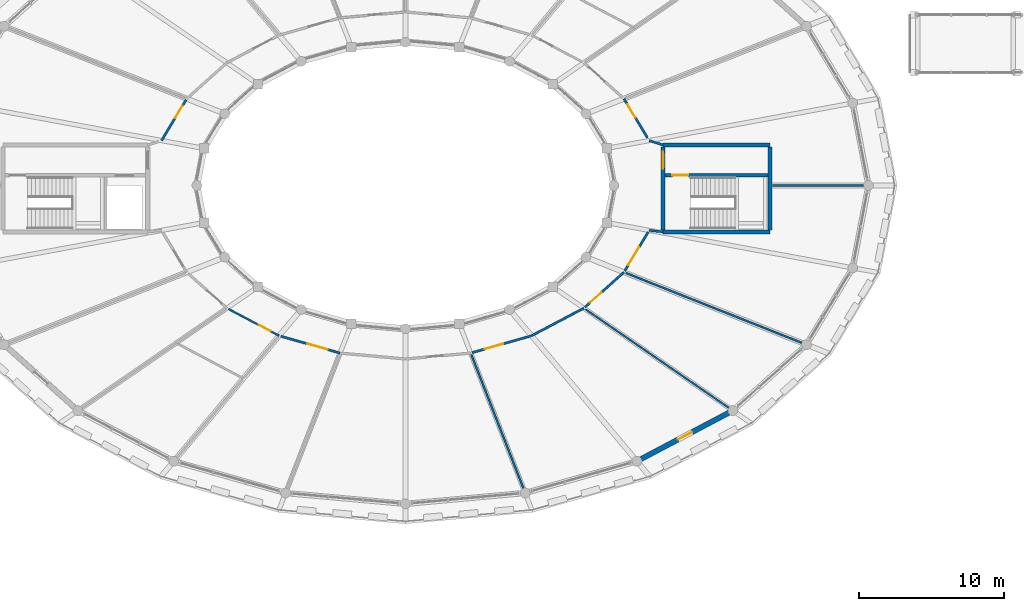
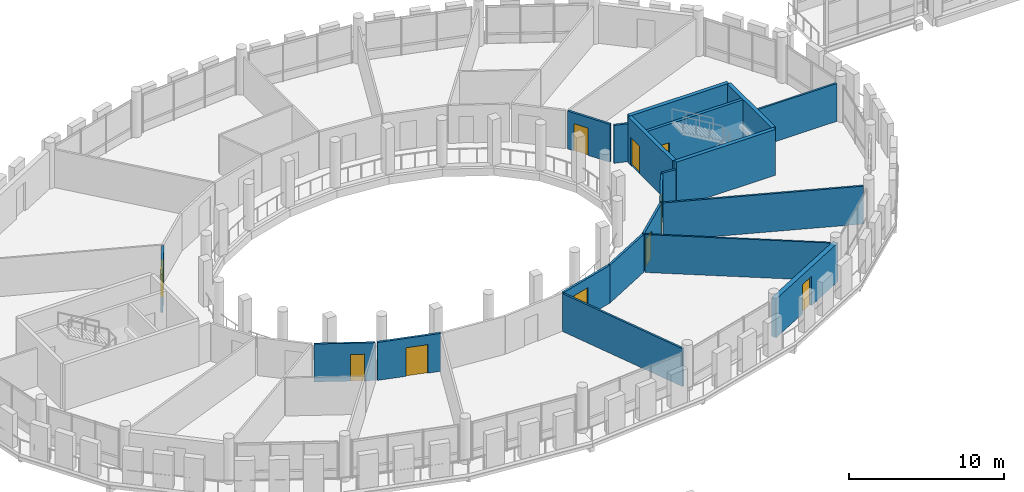
# One storey, part 112 of 128: 20 walls, 10 doors, 10 openings.
"""IFC4 building model written with IfcOpenShell, lengths in metres."""

from ifc_helpers import new_model, si_unit, direction, frame, frame_2d, origin, place, context, subcontext, project, spatial, rectangle, extrude, material, layer, layer_set, type_object, element, fill, save


model = new_model("IFC4")

# Units and contexts
model_context = context("Model", 3, precision=1e-05, world=origin(), true_north=direction((0.0, 1.0)))
body_context = subcontext(model_context, "Body", "Model", "MODEL_VIEW")
ifc_project = project(units=[si_unit("LENGTHUNIT", "METRE"), si_unit("AREAUNIT", "SQUARE_METRE"), si_unit("VOLUMEUNIT", "CUBIC_METRE"), si_unit("PLANEANGLEUNIT", "RADIAN"), si_unit("MASSUNIT", "GRAM", prefix="KILO")], contexts=[model_context])

# Site, building, storey
site_placement = place(None, origin())
site = spatial("IfcSite", under=ifc_project, at=site_placement, CompositionType="ELEMENT")
building_placement = place(site_placement, origin())
building = spatial("IfcBuilding", under=site, at=building_placement, Name="Zornivar Specialist Clinic", CompositionType="ELEMENT")
storey_placement = place(building_placement, frame((0.0, 0.0, 4.5)))
storey = spatial("IfcBuildingStorey", under=building, at=storey_placement, Name="L01", CompositionType="ELEMENT", Elevation=4.5)

# Wall, opening, door
ifc_material_1 = material(Name="Masonry Drum Limestone Portal Wall", Category="masonry")
ifc_layer_1 = layer(ifc_material_1, 0.35009765625)
ifc_layer_set_1 = layer_set([ifc_layer_1], Name="Masonry Drum Limestone Portal Wall")
wall_type_1 = type_object("IfcWallType", Name="EW-DRUM-350", PredefinedType="SOLIDWALL", material=ifc_layer_set_1)
wall_1_placement = place(storey_placement, frame((109.60009765625, 38.547119140625, 0.0), z_axis=(0.0, 0.0, 1.0), x_axis=(0.884425099405, 0.466682165443, 0.0)))
wall_1 = element("IfcWall", 1, at=wall_1_placement, inside=storey, type_object=wall_type_1, Name="ew:V1:L01:c20", PredefinedType="SOLIDWALL", context=body_context, shape_type="SweptSolid", body=[
    extrude(rectangle(XDim=7.492919921875, YDim=0.35009765625, at=frame_2d((3.74658203125, 0.0))), origin(), (0.0, 0.0, 1.0), 3.050048828125),
])
opening_1_placement = place(wall_1_placement, frame((3.197021484375, 0.0, 0.0)))
opening_1 = element("IfcOpeningElement", 2, at=opening_1_placement, cuts=wall_1, Name="Opening BD-02", PredefinedType="OPENING", context=body_context, shape_type="SweptSolid", body=[
    extrude(rectangle(XDim=1.10009765625, YDim=2.300048828125, at=frame_2d((0.550048828125, 1.14990234375))), frame((0.0, 0.18505859375, 0.0), z_axis=(0.0, -1.0, 0.0), x_axis=(1.0, 0.0, 0.0)), (0.0, 0.0, 1.0), 0.3701171875),
])
ifc_material_2 = material(Name="Thermally Broken Glazed Aluminium Door", Category="aluminium")
door_type_1 = type_object("IfcDoorType", Name="BD-BALC-1100x2300", OperationType="NOTDEFINED", PredefinedType="DOOR", material=ifc_material_2)
door_1_placement = place(opening_1_placement, origin())
door_1 = element("IfcDoor", 3, at=door_1_placement, inside=storey, type_object=door_type_1, Name="door:V1:L01:c20", OperationType="SINGLE_SWING_RIGHT", OverallHeight=2.300048828125, OverallWidth=1.10009765625, PredefinedType="DOOR", context=body_context, shape_type="SweptSolid", body=[
    extrude(rectangle(XDim=1.10009765625, YDim=2.300048828125, at=frame_2d((0.550048828125, 1.14990234375))), frame((0.0, 0.02490234375, 0.0), z_axis=(0.0, -1.0, 0.0), x_axis=(1.0, 0.0, 0.0)), (0.0, 0.0, 1.0), 0.050048828125),
])
fill(opening_1, door_1)

# Walls
ifc_material_3 = material(Name="Acoustic Clinical Stud Partition")
ifc_layer_2 = layer(ifc_material_3, 0.139892578125)
ifc_layer_set_2 = layer_set([ifc_layer_2], Name="Acoustic Clinical Stud Partition")
wall_type_2 = type_object("IfcWallType", Name="IW-CLIN-140", PredefinedType="PARTITIONING", material=ifc_layer_set_2)
wall_2_placement = place(storey_placement, frame((125.25, 57.60009765625, 0.0), z_axis=(0.0, 0.0, 1.0), x_axis=(-1.0, 0.0, 0.0)))
element("IfcWall", 4, at=wall_2_placement, inside=storey, type_object=wall_type_2, Name="iw:L01:003", PredefinedType="PARTITIONING", context=body_context, shape_type="SweptSolid", body=[
    extrude(rectangle(XDim=6.294921875, YDim=0.139892578125, at=frame_2d((3.1474609375, 0.0))), origin(), (0.0, 0.0, 1.0), 2.989990234375),
])
wall_3_placement = place(storey_placement, frame((98.156982421875, 45.908935546875, 0.0), z_axis=(0.0, 0.0, 1.0), x_axis=(0.36308821281, -0.931754769088, 0.0)))
element("IfcWall", 5, at=wall_3_placement, inside=storey, type_object=wall_type_2, Name="iw:L01:040", PredefinedType="PARTITIONING", context=body_context, shape_type="SweptSolid", body=[
    extrude(rectangle(XDim=9.9091796875, YDim=0.139892578125, at=frame_2d((4.95458984375, 0.0))), origin(), (0.0, 0.0, 1.0), 2.989990234375),
])
wall_4_placement = place(storey_placement, frame((108.833984375, 51.552978515625, 0.0), z_axis=(0.0, 0.0, 1.0), x_axis=(0.929466121462, -0.368907480344, 0.0)))
element("IfcWall", 6, at=wall_4_placement, inside=storey, type_object=wall_type_2, Name="iw:L01:046", PredefinedType="PARTITIONING", context=body_context, shape_type="SweptSolid", body=[
    extrude(rectangle(XDim=13.076416015625, YDim=0.139892578125, at=frame_2d((6.5380859375, 0.0))), origin(), (0.0, 0.0, 1.0), 2.989990234375),
])
ifc_material_4 = material(Name="Gypsum Fire-Rated Double Stud Partition")
ifc_layer_3 = layer(ifc_material_4, 0.159912109375)
ifc_layer_set_3 = layer_set([ifc_layer_3], Name="Gypsum Fire-Rated Double Stud Partition")
wall_type_3 = type_object("IfcWallType", Name="IW-CORR-EI60-160", PredefinedType="PARTITIONING", material=ifc_layer_set_3)
wall_5_placement = place(storey_placement, frame((111.39990234375, 60.39990234375, 0.0), z_axis=(0.0, 0.0, 1.0), x_axis=(-0.953076237522, 0.302730384122, 0.0)))
element("IfcWall", 7, at=wall_5_placement, inside=storey, type_object=wall_type_3, Name="iw:L01:000", PredefinedType="PARTITIONING", context=body_context, shape_type="SweptSolid", body=[
    extrude(rectangle(XDim=1.000732421875, YDim=0.159912109375, at=frame_2d((0.50048828125, 0.0))), origin(), (0.0, 0.0, 1.0), 2.989990234375),
])

# Wall, opening, door
wall_6_placement = place(storey_placement, frame((110.325927734375, 60.903076171875, 0.0), z_axis=(0.0, 0.0, 1.0), x_axis=(-0.516060018324, 0.856552425417, 0.0)))
wall_6 = element("IfcWall", 8, at=wall_6_placement, inside=storey, type_object=wall_type_3, Name="iw:L01:001", PredefinedType="PARTITIONING", context=body_context, shape_type="SweptSolid", body=[
    extrude(rectangle(XDim=3.142822265625, YDim=0.159912109375, at=frame_2d((1.5712890625, 0.0))), origin(), (0.0, 0.0, 1.0), 2.989990234375),
])
opening_2_placement = place(wall_6_placement, frame((1.613037109375, 0.0, 0.0)))
opening_2 = element("IfcOpeningElement", 9, at=opening_2_placement, cuts=wall_6, Name="Opening ID-03", PredefinedType="OPENING", context=body_context, shape_type="SweptSolid", body=[
    extrude(rectangle(XDim=1.050048828125, YDim=2.14990234375, at=frame_2d((0.52490234375, 1.074951171875))), frame((0.0, 0.08984375, 0.0), z_axis=(0.0, -1.0, 0.0), x_axis=(1.0, 0.0, 0.0)), (0.0, 0.0, 1.0), 0.179931640625),
])
ifc_material_5 = material(Name="Solid-Core Hygienic Laminate Timber Door", Category="wood")
door_type_2 = type_object("IfcDoorType", Name="ID-CONS-1050x2150", OperationType="NOTDEFINED", PredefinedType="DOOR", material=ifc_material_5)
door_2_placement = place(opening_2_placement, origin())
door_2 = element("IfcDoor", 10, at=door_2_placement, inside=storey, type_object=door_type_2, Name="door:space:V1:L01:rm:01", OperationType="SINGLE_SWING_RIGHT", OverallHeight=2.14990234375, OverallWidth=1.050048828125, PredefinedType="DOOR", context=body_context, shape_type="SweptSolid", body=[
    extrude(rectangle(XDim=1.050048828125, YDim=2.14990234375, at=frame_2d((0.52490234375, 1.074951171875))), frame((0.0, 0.02490234375, 0.0), z_axis=(0.0, -1.0, 0.0), x_axis=(1.0, 0.0, 0.0)), (0.0, 0.0, 1.0), 0.050048828125),
])
fill(opening_2, door_2)

wall_7_placement = place(storey_placement, frame((78.449951171875, 63.51904296875, 0.0), z_axis=(0.0, 0.0, 1.0), x_axis=(-0.515914810867, -0.856639893962, 0.0)))
wall_7 = element("IfcWall", 11, at=wall_7_placement, inside=storey, type_object=wall_type_3, Name="iw:L01:025", PredefinedType="PARTITIONING", context=body_context, shape_type="SweptSolid", body=[
    extrude(rectangle(XDim=3.287353515625, YDim=0.159912109375, at=frame_2d((1.6435546875, 0.0))), origin(), (0.0, 0.0, 1.0), 2.989990234375),
])
opening_3_placement = place(wall_7_placement, frame((0.47998046875, 0.0, 0.0)))
opening_3 = element("IfcOpeningElement", 12, at=opening_3_placement, cuts=wall_7, Name="Opening ID-09", PredefinedType="OPENING", context=body_context, shape_type="SweptSolid", body=[
    extrude(rectangle(XDim=0.97998046875, YDim=2.14990234375, at=frame_2d((0.489990234375, 1.074951171875))), frame((0.0, 0.08984375, 0.0), z_axis=(0.0, -1.0, 0.0), x_axis=(1.0, 0.0, 0.0)), (0.0, 0.0, 1.0), 0.179931640625),
])
ifc_material_6 = material(Name="Solid-Core Hygienic Laminate Timber Door", Category="wood")
door_type_3 = type_object("IfcDoorType", Name="ID-STAFF-0980x2150", OperationType="NOTDEFINED", PredefinedType="DOOR", material=ifc_material_6)
door_3_placement = place(opening_3_placement, origin())
door_3 = element("IfcDoor", 13, at=door_3_placement, inside=storey, type_object=door_type_3, Name="door:space:V1:L01:rm:09", OperationType="SINGLE_SWING_RIGHT", OverallHeight=2.14990234375, OverallWidth=0.97998046875, PredefinedType="DOOR", context=body_context, shape_type="SweptSolid", body=[
    extrude(rectangle(XDim=0.97998046875, YDim=2.14990234375, at=frame_2d((0.489990234375, 1.074951171875))), frame((0.0, 0.02490234375, 0.0), z_axis=(0.0, -1.0, 0.0), x_axis=(1.0, 0.0, 0.0)), (0.0, 0.0, 1.0), 0.050048828125),
])
fill(opening_3, door_3)

wall_8_placement = place(storey_placement, frame((84.998046875, 47.181884765625, 0.0), z_axis=(0.0, 0.0, 1.0), x_axis=(0.961841952324, -0.27360566286, 0.0)))
wall_8 = element("IfcWall", 14, at=wall_8_placement, inside=storey, type_object=wall_type_3, Name="iw:L01:037", PredefinedType="PARTITIONING", context=body_context, shape_type="SweptSolid", body=[
    extrude(rectangle(XDim=4.25, YDim=0.159912109375, at=frame_2d((2.125, 0.0))), origin(), (0.0, 0.0, 1.0), 2.989990234375),
])
opening_4_placement = place(wall_8_placement, frame((1.910888671875, 0.0, 0.0)))
opening_4 = element("IfcOpeningElement", 15, at=opening_4_placement, cuts=wall_8, Name="Opening ID-11", PredefinedType="OPENING", context=body_context, shape_type="SweptSolid", body=[
    extrude(rectangle(XDim=1.449951171875, YDim=2.25, at=frame_2d((0.72509765625, 1.125))), frame((0.0, 0.08984375, 0.0), z_axis=(0.0, -1.0, 0.0), x_axis=(1.0, 0.0, 0.0)), (0.0, 0.0, 1.0), 0.179931640625),
])
ifc_material_7 = material(Name="Solid-Core Hygienic Laminate Timber Door", Category="wood")
door_type_4 = type_object("IfcDoorType", Name="ID-INFUS-1450x2250", OperationType="NOTDEFINED", PredefinedType="DOOR", material=ifc_material_7)
door_4_placement = place(opening_4_placement, origin())
door_4 = element("IfcDoor", 16, at=door_4_placement, inside=storey, type_object=door_type_4, Name="door:space:V1:L01:rm:13", OperationType="DOUBLE_DOOR_SINGLE_SWING", OverallHeight=2.25, OverallWidth=1.449951171875, PredefinedType="DOOR", context=body_context, shape_type="SweptSolid", body=[
    extrude(rectangle(XDim=1.449951171875, YDim=2.25, at=frame_2d((0.72509765625, 1.125))), frame((0.0, 0.02490234375, 0.0), z_axis=(0.0, -1.0, 0.0), x_axis=(1.0, 0.0, 0.0)), (0.0, 0.0, 1.0), 0.050048828125),
])
fill(opening_4, door_4)

# Wall
wall_9_placement = place(storey_placement, frame((102.320068359375, 47.216064453125, 0.0), z_axis=(0.0, 0.0, 1.0), x_axis=(0.884408058246, 0.466714459289, 0.0)))
element("IfcWall", 17, at=wall_9_placement, inside=storey, type_object=wall_type_3, Name="iw:L01:042", PredefinedType="PARTITIONING", context=body_context, shape_type="SweptSolid", body=[
    extrude(rectangle(XDim=4.083984375, YDim=0.159912109375, at=frame_2d((2.0419921875, 0.0))), origin(), (0.0, 0.0, 1.0), 2.989990234375),
])

# Wall, opening, door
wall_10_placement = place(storey_placement, frame((98.201904296875, 46.0439453125, 0.0), z_axis=(0.0, 0.0, 1.0), x_axis=(0.961786770813, 0.2737995754, 0.0)))
wall_10 = element("IfcWall", 18, at=wall_10_placement, inside=storey, type_object=wall_type_3, Name="iw:L01:044", PredefinedType="PARTITIONING", context=body_context, shape_type="SweptSolid", body=[
    extrude(rectangle(XDim=4.269287109375, YDim=0.159912109375, at=frame_2d((2.134765625, 0.0))), origin(), (0.0, 0.0, 1.0), 2.989990234375),
])
opening_5_placement = place(wall_10_placement, frame((0.926025390625, 0.0, 0.0)))
opening_5 = element("IfcOpeningElement", 19, at=opening_5_placement, cuts=wall_10, Name="Opening ID-13", PredefinedType="OPENING", context=body_context, shape_type="SweptSolid", body=[
    extrude(rectangle(XDim=1.300048828125, YDim=2.25, at=frame_2d((0.64990234375, 1.125))), frame((0.0, 0.08984375, 0.0), z_axis=(0.0, -1.0, 0.0), x_axis=(1.0, 0.0, 0.0)), (0.0, 0.0, 1.0), 0.179931640625),
])
ifc_material_8 = material(Name="Solid-Core Hygienic Laminate Timber Door", Category="wood")
door_type_5 = type_object("IfcDoorType", Name="ID-RECOV-1300x2250", OperationType="NOTDEFINED", PredefinedType="DOOR", material=ifc_material_8)
door_5_placement = place(opening_5_placement, origin())
door_5 = element("IfcDoor", 20, at=door_5_placement, inside=storey, type_object=door_type_5, Name="door:space:V1:L01:rm:15", OperationType="SINGLE_SWING_RIGHT", OverallHeight=2.25, OverallWidth=1.300048828125, PredefinedType="DOOR", context=body_context, shape_type="SweptSolid", body=[
    extrude(rectangle(XDim=1.300048828125, YDim=2.25, at=frame_2d((0.64990234375, 1.125))), frame((0.0, 0.02490234375, 0.0), z_axis=(0.0, -1.0, 0.0), x_axis=(1.0, 0.0, 0.0)), (0.0, 0.0, 1.0), 0.050048828125),
])
fill(opening_5, door_5)

wall_11_placement = place(storey_placement, frame((106.0029296875, 49.18603515625, 0.0), z_axis=(0.0, 0.0, 1.0), x_axis=(0.744952444552, 0.667117572363, 0.0)))
wall_11 = element("IfcWall", 21, at=wall_11_placement, inside=storey, type_object=wall_type_3, Name="iw:L01:045", PredefinedType="PARTITIONING", context=body_context, shape_type="SweptSolid", body=[
    extrude(rectangle(XDim=3.6259765625, YDim=0.159912109375, at=frame_2d((1.81298828125, 0.0))), origin(), (0.0, 0.0, 1.0), 2.989990234375),
])
opening_6_placement = place(wall_11_placement, frame((0.47998046875, 0.0, 0.0)))
opening_6 = element("IfcOpeningElement", 22, at=opening_6_placement, cuts=wall_11, Name="Opening ID-03", PredefinedType="OPENING", context=body_context, shape_type="SweptSolid", body=[
    extrude(rectangle(XDim=1.050048828125, YDim=2.14990234375, at=frame_2d((0.52490234375, 1.074951171875))), frame((0.0, 0.08984375, 0.0), z_axis=(0.0, -1.0, 0.0), x_axis=(1.0, 0.0, 0.0)), (0.0, 0.0, 1.0), 0.179931640625),
])
door_6_placement = place(opening_6_placement, origin())
door_6 = element("IfcDoor", 23, at=door_6_placement, inside=storey, type_object=door_type_2, Name="door:space:V1:L01:rm:16", OperationType="SINGLE_SWING_LEFT", OverallHeight=2.14990234375, OverallWidth=1.050048828125, PredefinedType="DOOR", context=body_context, shape_type="SweptSolid", body=[
    extrude(rectangle(XDim=1.050048828125, YDim=2.14990234375, at=frame_2d((0.52490234375, 1.074951171875))), frame((0.0, 0.02490234375, 0.0), z_axis=(0.0, -1.0, 0.0), x_axis=(1.0, 0.0, 0.0)), (0.0, 0.0, 1.0), 0.050048828125),
])
fill(opening_6, door_6)

# Wall
wall_12_placement = place(storey_placement, frame((110.446044921875, 54.4970703125, 0.0), z_axis=(0.0, 0.0, 1.0), x_axis=(0.994851446462, -0.101343966136, 0.0)))
element("IfcWall", 24, at=wall_12_placement, inside=storey, type_object=wall_type_3, Name="iw:L01:047", PredefinedType="PARTITIONING", context=body_context, shape_type="SweptSolid", body=[
    extrude(rectangle(XDim=0.958740234375, YDim=0.159912109375, at=frame_2d((0.4794921875, 0.0))), origin(), (0.0, 0.0, 1.0), 2.989990234375),
])

# Wall, opening, door
wall_13_placement = place(storey_placement, frame((108.7548828125, 51.68896484375, 0.0), z_axis=(0.0, 0.0, 1.0), x_axis=(0.515891527753, 0.85665391588, 0.0)))
wall_13 = element("IfcWall", 25, at=wall_13_placement, inside=storey, type_object=wall_type_3, Name="iw:L01:048", PredefinedType="PARTITIONING", context=body_context, shape_type="SweptSolid", body=[
    extrude(rectangle(XDim=3.13671875, YDim=0.159912109375, at=frame_2d((1.568359375, 0.0))), origin(), (0.0, 0.0, 1.0), 2.989990234375),
])
opening_7_placement = place(wall_13_placement, frame((0.47998046875, 0.0, 0.0)))
opening_7 = element("IfcOpeningElement", 26, at=opening_7_placement, cuts=wall_13, Name="Opening ID-11", PredefinedType="OPENING", context=body_context, shape_type="SweptSolid", body=[
    extrude(rectangle(XDim=1.449951171875, YDim=2.25, at=frame_2d((0.72509765625, 1.125))), frame((0.0, 0.08984375, 0.0), z_axis=(0.0, -1.0, 0.0), x_axis=(1.0, 0.0, 0.0)), (0.0, 0.0, 1.0), 0.179931640625),
])
door_7_placement = place(opening_7_placement, origin())
door_7 = element("IfcDoor", 27, at=door_7_placement, inside=storey, type_object=door_type_4, Name="door:space:V1:L01:rm:17", OperationType="DOUBLE_DOOR_SINGLE_SWING", OverallHeight=2.25, OverallWidth=1.449951171875, PredefinedType="DOOR", context=body_context, shape_type="SweptSolid", body=[
    extrude(rectangle(XDim=1.449951171875, YDim=2.25, at=frame_2d((0.72509765625, 1.125))), frame((0.0, 0.02490234375, 0.0), z_axis=(0.0, -1.0, 0.0), x_axis=(1.0, 0.0, 0.0)), (0.0, 0.0, 1.0), 0.050048828125),
])
fill(opening_7, door_7)

# Wall
ifc_material_9 = material(Name="Acoustic Glazed Consultation Partition")
ifc_layer_4 = layer(ifc_material_9, 0.1201171875)
ifc_layer_set_4 = layer_set([ifc_layer_4], Name="Acoustic Glazed Consultation Partition")
wall_type_4 = type_object("IfcWallType", Name="IW-GLAZ-120", PredefinedType="PARTITIONING", material=ifc_layer_set_4)
wall_14_placement = place(storey_placement, frame((106.044921875, 49.0439453125, 0.0), z_axis=(0.0, 0.0, 1.0), x_axis=(0.824047857095, -0.566520193124, 0.0)))
element("IfcWall", 28, at=wall_14_placement, inside=storey, type_object=wall_type_4, Name="iw:L01:043", PredefinedType="PARTITIONING", context=body_context, shape_type="SweptSolid", body=[
    extrude(rectangle(XDim=12.006591796875, YDim=0.1201171875, at=frame_2d((6.00341796875, 0.0))), origin(), (0.0, 0.0, 1.0), 2.989990234375),
])

# Wall, opening, door
ifc_material_10 = material(Name="Moisture-Resistant Sanitary Partition")
ifc_layer_5 = layer(ifc_material_10, 0.1298828125)
ifc_layer_set_5 = layer_set([ifc_layer_5], Name="Moisture-Resistant Sanitary Partition")
wall_type_5 = type_object("IfcWallType", Name="IW-WET-130", PredefinedType="PARTITIONING", material=ifc_layer_set_5)
wall_15_placement = place(storey_placement, frame((81.376953125, 49.06396484375, 0.0), z_axis=(0.0, 0.0, 1.0), x_axis=(0.884475212642, -0.466587181802, 0.0)))
wall_15 = element("IfcWall", 29, at=wall_15_placement, inside=storey, type_object=wall_type_5, Name="iw:L01:034", PredefinedType="PARTITIONING", context=body_context, shape_type="SweptSolid", body=[
    extrude(rectangle(XDim=3.96044921875, YDim=0.1298828125, at=frame_2d((1.980224609375, 0.0))), origin(), (0.0, 0.0, 1.0), 2.989990234375),
])
opening_8_placement = place(wall_15_placement, frame((2.37109375, 0.0, 0.0)))
opening_8 = element("IfcOpeningElement", 30, at=opening_8_placement, cuts=wall_15, Name="Opening ID-08", PredefinedType="OPENING", context=body_context, shape_type="SweptSolid", body=[
    extrude(rectangle(XDim=0.89990234375, YDim=2.10009765625, at=frame_2d((0.449951171875, 1.050048828125))), frame((0.0, 0.074951171875, 0.0), z_axis=(0.0, -1.0, 0.0), x_axis=(1.0, 0.0, 0.0)), (0.0, 0.0, 1.0), 0.14990234375),
])
ifc_material_11 = material(Name="Solid-Core Hygienic Laminate Timber Door", Category="wood")
door_type_6 = type_object("IfcDoorType", Name="ID-WC-STD-0900x2100", OperationType="NOTDEFINED", PredefinedType="DOOR", material=ifc_material_11)
door_8_placement = place(opening_8_placement, origin())
door_8 = element("IfcDoor", 31, at=door_8_placement, inside=storey, type_object=door_type_6, Name="door:space:V1:L01:rm:12", OperationType="SINGLE_SWING_LEFT", OverallHeight=2.10009765625, OverallWidth=0.89990234375, PredefinedType="DOOR", context=body_context, shape_type="SweptSolid", body=[
    extrude(rectangle(XDim=0.89990234375, YDim=2.10009765625, at=frame_2d((0.449951171875, 1.050048828125))), frame((0.0, 0.02490234375, 0.0), z_axis=(0.0, -1.0, 0.0), x_axis=(1.0, 0.0, 0.0)), (0.0, 0.0, 1.0), 0.050048828125),
])
fill(opening_8, door_8)

# Walls
ifc_material_12 = material(Name="Concrete C35/45", Category="concrete")
ifc_layer_6 = layer(ifc_material_12, 0.280029296875)
ifc_layer_set_6 = layer_set([ifc_layer_6], Name="Concrete C35/45")
wall_type_6 = type_object("IfcWallType", Name="SW-CORE-280", PredefinedType="SHEAR", material=ifc_layer_set_6)
wall_16_placement = place(storey_placement, frame((111.39990234375, 54.39990234375, 0.0), z_axis=(0.0, 0.0, 1.0), x_axis=(1.0, 0.0, 0.0)))
element("IfcWall", 32, at=wall_16_placement, inside=storey, type_object=wall_type_6, Name="sw:C4:L01:w0", PredefinedType="SHEAR", context=body_context, shape_type="SweptSolid", body=[
    extrude(rectangle(XDim=7.400146484375, YDim=0.280029296875, at=frame_2d((3.7001953125, 0.0))), origin(), (0.0, 0.0, 1.0), 3.610107421875),
])
wall_17_placement = place(storey_placement, frame((118.800048828125, 54.5400390625, 0.0), z_axis=(0.0, 0.0, 1.0), x_axis=(0.0, 1.0, 0.0)))
element("IfcWall", 33, at=wall_17_placement, inside=storey, type_object=wall_type_6, Name="sw:C4:L01:w1", PredefinedType="SHEAR", context=body_context, shape_type="SweptSolid", body=[
    extrude(rectangle(XDim=5.719970703125, YDim=0.280029296875, at=frame_2d((2.85986328125, 0.0))), origin(), (0.0, 0.0, 1.0), 3.610107421875),
])
wall_18_placement = place(storey_placement, frame((118.800048828125, 60.39990234375, 0.0), z_axis=(0.0, 0.0, 1.0), x_axis=(-1.0, 0.0, 0.0)))
element("IfcWall", 34, at=wall_18_placement, inside=storey, type_object=wall_type_6, Name="sw:C4:L01:w2", PredefinedType="SHEAR", context=body_context, shape_type="SweptSolid", body=[
    extrude(rectangle(XDim=7.400146484375, YDim=0.280029296875, at=frame_2d((3.7001953125, 0.0))), origin(), (0.0, 0.0, 1.0), 3.610107421875),
])

# Wall, opening, door
wall_19_placement = place(storey_placement, frame((111.39990234375, 60.260009765625, 0.0), z_axis=(0.0, 0.0, 1.0), x_axis=(0.0, -1.0, 0.0)))
wall_19 = element("IfcWall", 35, at=wall_19_placement, inside=storey, type_object=wall_type_6, Name="sw:C4:L01:w3", PredefinedType="SHEAR", context=body_context, shape_type="SweptSolid", body=[
    extrude(rectangle(XDim=5.719970703125, YDim=0.280029296875, at=frame_2d((2.85986328125, 0.0))), origin(), (0.0, 0.0, 1.0), 3.610107421875),
])
opening_9_placement = place(wall_19_placement, frame((0.344970703125, 0.0, 0.0)))
opening_9 = element("IfcOpeningElement", 36, at=opening_9_placement, cuts=wall_19, Name="Opening FD-03", PredefinedType="OPENING", context=body_context, shape_type="SweptSolid", body=[
    extrude(rectangle(XDim=1.14990234375, YDim=2.199951171875, at=frame_2d((0.574951171875, 1.10009765625))), frame((0.0, 0.14990234375, 0.0), z_axis=(0.0, -1.0, 0.0), x_axis=(1.0, 0.0, 0.0)), (0.0, 0.0, 1.0), 0.300048828125),
])
ifc_material_13 = material(Name="Solid-Core Hygienic Laminate Timber Door", Category="wood")
door_type_7 = type_object("IfcDoorType", Name="FD-LOBBY-UPPER-1150x2200", OperationType="NOTDEFINED", PredefinedType="DOOR", material=ifc_material_13)
door_9_placement = place(opening_9_placement, origin())
door_9 = element("IfcDoor", 37, at=door_9_placement, inside=storey, type_object=door_type_7, Name="door:C4:L01:lob", OperationType="SINGLE_SWING_RIGHT", OverallHeight=2.199951171875, OverallWidth=1.14990234375, PredefinedType="DOOR", context=body_context, shape_type="SweptSolid", body=[
    extrude(rectangle(XDim=1.14990234375, YDim=2.199951171875, at=frame_2d((0.574951171875, 1.10009765625))), frame((0.0, 0.02490234375, 0.0), z_axis=(0.0, -1.0, 0.0), x_axis=(1.0, 0.0, 0.0)), (0.0, 0.0, 1.0), 0.050048828125),
])
fill(opening_9, door_9)

ifc_material_14 = material(Name="Concrete C30/37", Category="concrete")
ifc_layer_7 = layer(ifc_material_14, 0.219970703125)
ifc_layer_set_7 = layer_set([ifc_layer_7], Name="Concrete C30/37")
wall_type_7 = type_object("IfcWallType", Name="SW-SHAFT-220", PredefinedType="SHEAR", material=ifc_layer_set_7)
wall_20_placement = place(storey_placement, frame((111.5400390625, 58.31005859375, 0.0), z_axis=(0.0, 0.0, 1.0), x_axis=(1.0, 0.0, 0.0)))
wall_20 = element("IfcWall", 38, at=wall_20_placement, inside=storey, type_object=wall_type_7, Name="sw:C4:L01:stwall", PredefinedType="SHEAR", context=body_context, shape_type="SweptSolid", body=[
    extrude(rectangle(XDim=7.119873046875, YDim=0.219970703125, at=frame_2d((3.56005859375, 0.0))), origin(), (0.0, 0.0, 1.0), 3.610107421875),
])
opening_10_placement = place(wall_20_placement, frame((0.510009765625, 0.0, 0.0)))
opening_10 = element("IfcOpeningElement", 39, at=opening_10_placement, cuts=wall_20, Name="Opening FD-02", PredefinedType="OPENING", context=body_context, shape_type="SweptSolid", body=[
    extrude(rectangle(XDim=1.10009765625, YDim=2.14990234375, at=frame_2d((0.550048828125, 1.074951171875))), frame((0.0, 0.119873046875, 0.0), z_axis=(0.0, -1.0, 0.0), x_axis=(1.0, 0.0, 0.0)), (0.0, 0.0, 1.0), 0.239990234375),
])
ifc_material_15 = material(Name="Solid-Core Hygienic Laminate Timber Door", Category="wood")
door_type_8 = type_object("IfcDoorType", Name="FD-STAIR-1100x2150", OperationType="NOTDEFINED", PredefinedType="DOOR", material=ifc_material_15)
door_10_placement = place(opening_10_placement, origin())
door_10 = element("IfcDoor", 40, at=door_10_placement, inside=storey, type_object=door_type_8, Name="door:C4:L01:stair", OperationType="SINGLE_SWING_LEFT", OverallHeight=2.14990234375, OverallWidth=1.10009765625, PredefinedType="DOOR", context=body_context, shape_type="SweptSolid", body=[
    extrude(rectangle(XDim=1.10009765625, YDim=2.14990234375, at=frame_2d((0.550048828125, 1.074951171875))), frame((0.0, 0.02490234375, 0.0), z_axis=(0.0, -1.0, 0.0), x_axis=(1.0, 0.0, 0.0)), (0.0, 0.0, 1.0), 0.050048828125),
])
fill(opening_10, door_10)

save(model, "model.ifc")
